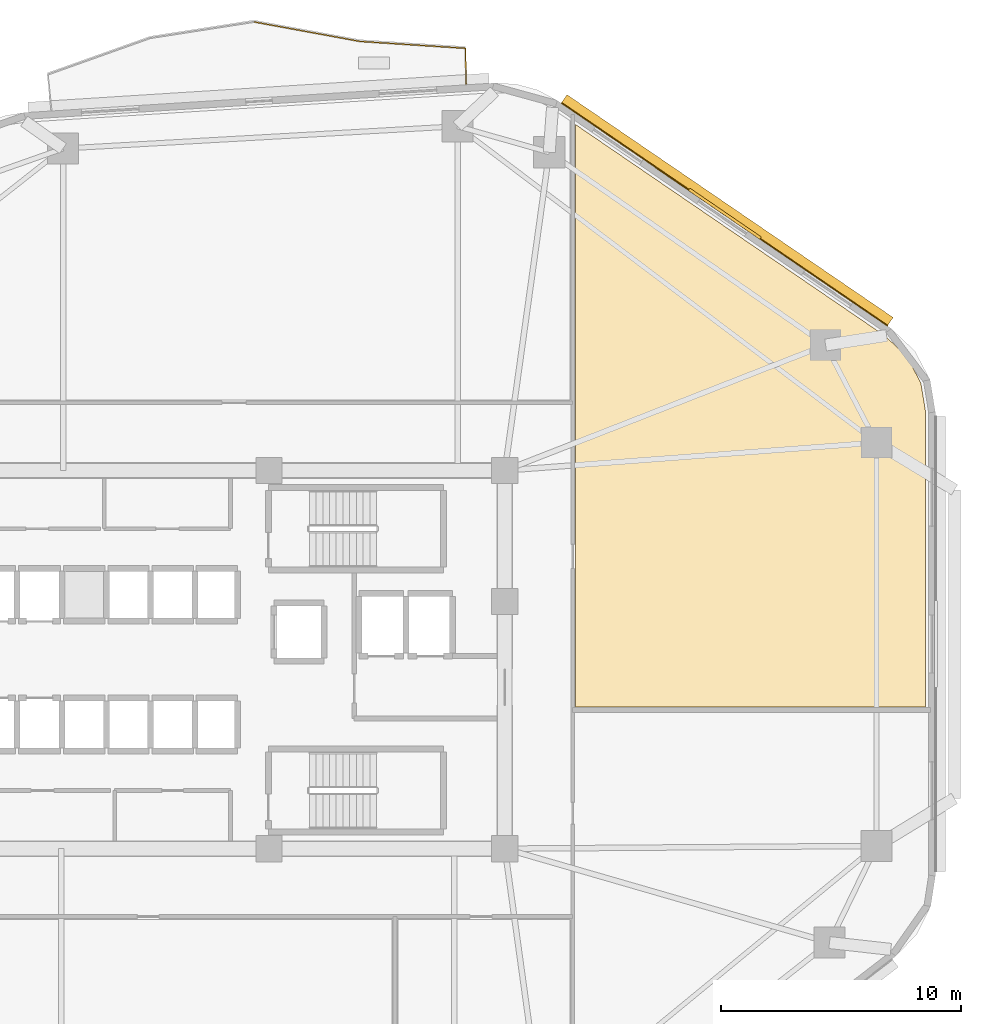
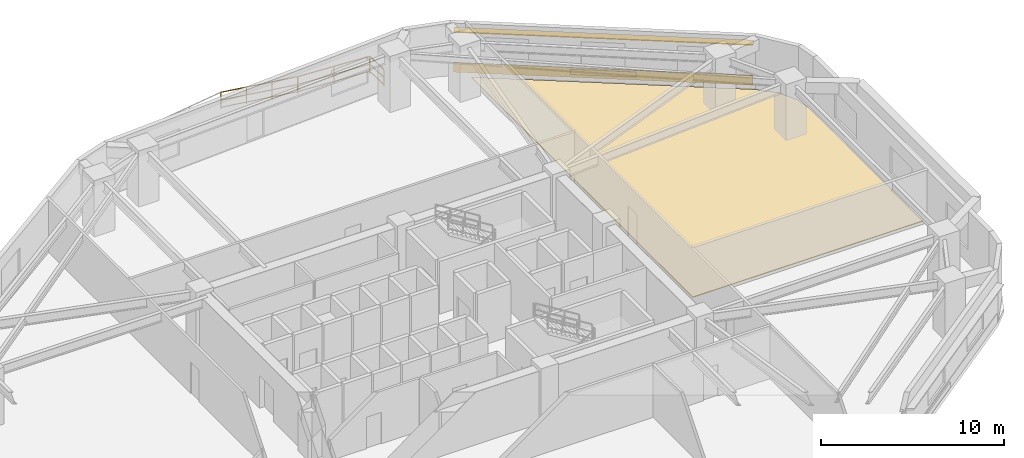
# One storey, part 10 of 11: 3 railings, 2 coverings, 2 shading devices.
"""IFC4 building model written with IfcOpenShell, lengths in metres."""

from ifc_helpers import new_model, si_unit, direction, frame, origin, origin_2d, place, context, subcontext, project, spatial, polyline, rectangle, outline, extrude, material, layer, layer_set, type_object, element, save


model = new_model("IFC4")

# Units and contexts
model_context = context("Model", 3, precision=1e-05, world=origin(), true_north=direction((0.0, 1.0)))
body_context = subcontext(model_context, "Body", "Model", "MODEL_VIEW")
ifc_project = project(units=[si_unit("LENGTHUNIT", "METRE"), si_unit("AREAUNIT", "SQUARE_METRE"), si_unit("VOLUMEUNIT", "CUBIC_METRE"), si_unit("PLANEANGLEUNIT", "RADIAN"), si_unit("MASSUNIT", "GRAM", prefix="KILO")], contexts=[model_context])

# Site, building, storey
site_placement = place(None, origin())
site = spatial("IfcSite", under=ifc_project, at=site_placement, CompositionType="ELEMENT")
building_placement = place(site_placement, origin())
building = spatial("IfcBuilding", under=site, at=building_placement, Name="Zulverin Broadcast Headquarters", CompositionType="ELEMENT")
storey_placement = place(building_placement, frame((0.0, 0.0, 28.800048828125)))
storey = spatial("IfcBuildingStorey", under=building, at=storey_placement, Name="L06", CompositionType="ELEMENT", Elevation=28.800048828125)

# Coverings
ifc_material_1 = material(Name="Brushed pale-aluminium rainscreen cladding", Category="aluminium")
ifc_layer_1 = layer(ifc_material_1, 0.0400390625, Name="Brushed pale-aluminium rainscreen cladding", Category="aluminium")
ifc_layer_set_1 = layer_set([ifc_layer_1], Name="Brushed pale-aluminium rainscreen cladding")
covering_type_1 = type_object("IfcCoveringType", Name="COV-CLAD-PALE", PredefinedType="CLADDING", material=ifc_layer_set_1)
covering_1_placement = place(storey_placement, frame((57.418212890625, 43.742431640625, 0.054931640625), z_axis=(0.0, 0.0, 1.0), x_axis=(-0.825756855157, 0.564026254851, 0.0)))
element("IfcCovering", 1, at=covering_1_placement, inside=storey, type_object=covering_type_1, Name="L06 Brushed Pale-Aluminium Spandrel Cladding 4", PredefinedType="CLADDING", context=body_context, shape_type="SweptSolid", body=[
    extrude(rectangle(XDim=16.4482421875, YDim=0.0400390625, at=origin_2d()), origin(), (0.0, 0.0, 1.0), 0.64990234375),
])
ifc_material_2 = material(Name="Anti-static broadcast raised access flooring", Category="stone")
ifc_layer_2 = layer(ifc_material_2, 0.050048828125, Name="Anti-static broadcast raised access flooring", Category="stone")
ifc_layer_set_2 = layer_set([ifc_layer_2], Name="Anti-static broadcast raised access flooring")
covering_type_2 = type_object("IfcCoveringType", Name="COV-FLR-RAISED", PredefinedType="FLOORING", material=ifc_layer_set_2)
covering_2_placement = place(storey_placement, origin())
element("IfcCovering", 2, at=covering_2_placement, inside=storey, type_object=covering_type_2, Name="L06 Broadcast Raised Access Flooring 02", PredefinedType="FLOORING", context=body_context, shape_type="SweptSolid", body=[
    extrude(outline(polyline([(65.800048828125, 23.219970703125), (65.800048828125, 35.48388671875), (65.595947265625, 36.719970703125), (65.028076171875, 37.803955078125), (64.115966796875, 38.672119140625), (51.219970703125, 47.47998046875), (51.219970703125, 23.219970703125), (65.800048828125, 23.219970703125)])), origin(), (0.0, 0.0, 1.0), 0.050048828125),
])

# Railings
ifc_material_3 = material(Name="Brushed stainless steel & laminated glass balustrade", Category="steel")
railing_type = type_object("IfcRailingType", Name="RL-GUARD-1150", PredefinedType="GUARDRAIL", material=ifc_material_3)
railing_1_placement = place(storey_placement, frame((46.662841796875, 49.176025390625, 0.0)))
element("IfcRailing", 3, at=railing_1_placement, inside=storey, type_object=railing_type, Name="L06 Vertical-Forest Balcony Guardrail BAL_N Segment 01", PredefinedType="GUARDRAIL", context=body_context, shape_type="SweptSolid", body=[
    extrude(rectangle(XDim=0.048095703125, YDim=0.048095703125, at=origin_2d()), frame((0.0, 0.0, 1.1259765625), z_axis=(-0.022479328211, 0.999747307975, 0.0), x_axis=(-0.999747307975, -0.022479328211, 0.0)), (0.0, 0.0, 1.0), 1.46630859375),
    extrude(rectangle(XDim=0.0419921875, YDim=0.0419921875, at=origin_2d()), frame((0.0, 0.0, 0.597900390625), z_axis=(-0.022479328211, 0.999747307975, 0.0), x_axis=(-0.999747307975, -0.022479328211, 0.0)), (0.0, 0.0, 1.0), 1.46630859375),
    extrude(rectangle(XDim=0.0419921875, YDim=0.0419921875, at=origin_2d()), frame((0.0, 0.0, 0.1201171875), z_axis=(-0.022479328211, 0.999747307975, 0.0), x_axis=(-0.999747307975, -0.022479328211, 0.0)), (0.0, 0.0, 1.0), 1.46630859375),
    extrude(rectangle(XDim=0.0419921875, YDim=0.0419921875, at=origin_2d()), origin(), (0.0, 0.0, 1.0), 1.101806640625),
    extrude(rectangle(XDim=0.0419921875, YDim=0.0419921875, at=origin_2d()), frame((-0.032958984375, 1.4658203125, 0.0)), (0.0, 0.0, 1.0), 1.101806640625),
])
railing_2_placement = place(storey_placement, frame((46.614501953125, 50.657958984375, 0.0)))
element("IfcRailing", 4, at=railing_2_placement, inside=storey, type_object=railing_type, Name="L06 Vertical-Forest Balcony Guardrail BAL_N Segment 02", PredefinedType="GUARDRAIL", context=body_context, shape_type="SweptSolid", body=[
    extrude(rectangle(XDim=0.048095703125, YDim=0.048095703125, at=origin_2d()), frame((0.0, 0.0, 1.1259765625), z_axis=(-0.997884053824, 0.065018575224, 0.0), x_axis=(-0.065018575224, -0.997884053824, 0.0)), (0.0, 0.0, 1.0), 4.36328125),
    extrude(rectangle(XDim=0.0419921875, YDim=0.0419921875, at=origin_2d()), frame((0.0, 0.0, 0.597900390625), z_axis=(-0.997884053824, 0.065018575224, 0.0), x_axis=(-0.065018575224, -0.997884053824, 0.0)), (0.0, 0.0, 1.0), 4.36328125),
    extrude(rectangle(XDim=0.0419921875, YDim=0.0419921875, at=origin_2d()), frame((0.0, 0.0, 0.1201171875), z_axis=(-0.997884053824, 0.065018575224, 0.0), x_axis=(-0.065018575224, -0.997884053824, 0.0)), (0.0, 0.0, 1.0), 4.36328125),
    extrude(rectangle(XDim=0.0419921875, YDim=0.0419921875, at=origin_2d()), origin(), (0.0, 0.0, 1.0), 1.101806640625),
    extrude(rectangle(XDim=0.0419921875, YDim=0.0419921875, at=origin_2d()), frame((-2.177001953125, 0.141845703125, 0.0)), (0.0, 0.0, 1.0), 1.101806640625),
    extrude(rectangle(XDim=0.0419921875, YDim=0.0419921875, at=origin_2d()), frame((-4.35400390625, 0.28369140625, 0.0)), (0.0, 0.0, 1.0), 1.101806640625),
])
railing_3_placement = place(storey_placement, frame((42.230712890625, 50.9453125, 0.0)))
element("IfcRailing", 5, at=railing_3_placement, inside=storey, type_object=railing_type, Name="L06 Vertical-Forest Balcony Guardrail BAL_N Segment 03", PredefinedType="GUARDRAIL", context=body_context, shape_type="SweptSolid", body=[
    extrude(rectangle(XDim=0.048095703125, YDim=0.048095703125, at=origin_2d()), frame((0.0, 0.0, 1.1259765625), z_axis=(-0.983498315352, 0.180917284139, 0.0), x_axis=(-0.180917284139, -0.983498315352, 0.0)), (0.0, 0.0, 1.0), 4.46142578125),
    extrude(rectangle(XDim=0.0419921875, YDim=0.0419921875, at=origin_2d()), frame((0.0, 0.0, 0.597900390625), z_axis=(-0.983498315352, 0.180917284139, 0.0), x_axis=(-0.180917284139, -0.983498315352, 0.0)), (0.0, 0.0, 1.0), 4.46142578125),
    extrude(rectangle(XDim=0.0419921875, YDim=0.0419921875, at=origin_2d()), frame((0.0, 0.0, 0.1201171875), z_axis=(-0.983498315352, 0.180917284139, 0.0), x_axis=(-0.180917284139, -0.983498315352, 0.0)), (0.0, 0.0, 1.0), 4.46142578125),
    extrude(rectangle(XDim=0.0419921875, YDim=0.0419921875, at=origin_2d()), origin(), (0.0, 0.0, 1.0), 1.101806640625),
    extrude(rectangle(XDim=0.0419921875, YDim=0.0419921875, at=origin_2d()), frame((-1.462646484375, 0.26904296875, 0.0)), (0.0, 0.0, 1.0), 1.101806640625),
    extrude(rectangle(XDim=0.0419921875, YDim=0.0419921875, at=origin_2d()), frame((-2.925048828125, 0.5380859375, 0.0)), (0.0, 0.0, 1.0), 1.101806640625),
    extrude(rectangle(XDim=0.0419921875, YDim=0.0419921875, at=origin_2d()), frame((-4.3876953125, 0.80712890625, 0.0)), (0.0, 0.0, 1.0), 1.101806640625),
])

# Shading devices
ifc_material_4 = material(Name="Anodized pale-metal aluminium acoustic louvre", Category="aluminium")
shading_device_type_1 = type_object("IfcShadingDeviceType", Name="SHD-LOUVRE-350", PredefinedType="USERDEFINED", material=ifc_material_4)
shading_device_1_placement = place(storey_placement, frame((57.435302734375, 43.76708984375, 0.244873046875), z_axis=(0.0, 0.0, 1.0), x_axis=(-0.825756855157, 0.564026254851, 0.0)))
element("IfcShadingDevice", 6, at=shading_device_1_placement, inside=storey, type_object=shading_device_type_1, Name="L06 Spandrel Intake Louvre 4", ObjectType="LOUVRE", PredefinedType="USERDEFINED", context=body_context, shape_type="SweptSolid", body=[
    extrude(rectangle(XDim=3.60009765625, YDim=0.1201171875, at=origin_2d()), origin(), (0.0, 0.0, 1.0), 0.35009765625),
])
ifc_material_5 = material(Name="Anodized pale-metal aluminium sunshade", Category="aluminium")
ifc_layer_3 = layer(ifc_material_5, 0.06005859375, Name="Anodized pale-metal aluminium sunshade", Category="aluminium")
ifc_layer_set_3 = layer_set([ifc_layer_3], Name="Anodized pale-metal aluminium sunshade")
shading_device_type_2 = type_object("IfcShadingDeviceType", Name="SS-01_PALE_METAL_ALUMINIUM_SUNSHADE", PredefinedType="USERDEFINED", material=ifc_layer_set_3)
shading_device_2_placement = place(storey_placement, frame((57.525390625, 43.8994140625, 2.7099609375), z_axis=(0.0, 0.0, 1.0), x_axis=(-0.825756855157, 0.564026254851, 0.0)))
element("IfcShadingDevice", 7, at=shading_device_2_placement, inside=storey, type_object=shading_device_type_2, Name="L06 Horizontal Pale-Metal Sunshade Band 4", ObjectType="SUNSHADE", PredefinedType="USERDEFINED", context=body_context, shape_type="SweptSolid", body=[
    extrude(rectangle(XDim=16.4482421875, YDim=0.449951171875, at=origin_2d()), origin(), (0.0, 0.0, 1.0), 0.06005859375),
])

save(model, "model.ifc")
